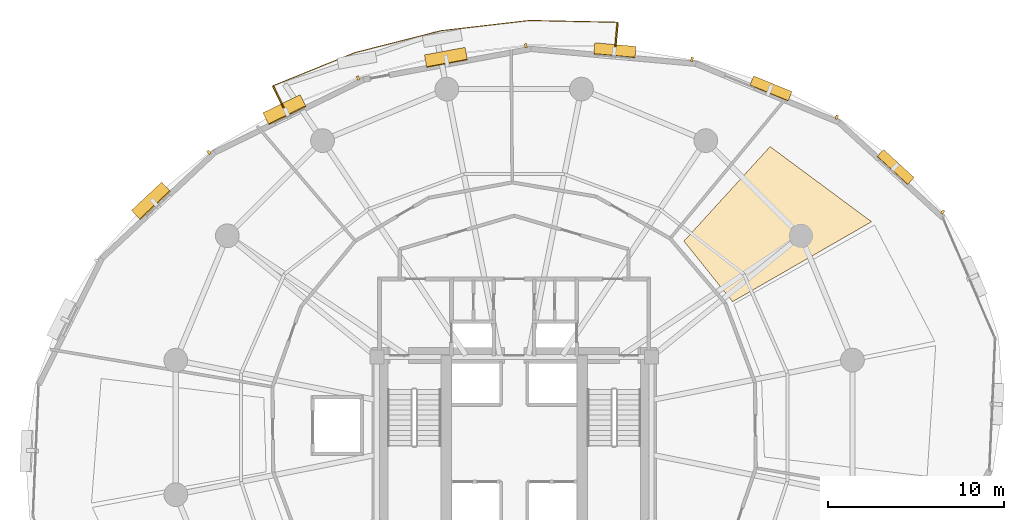
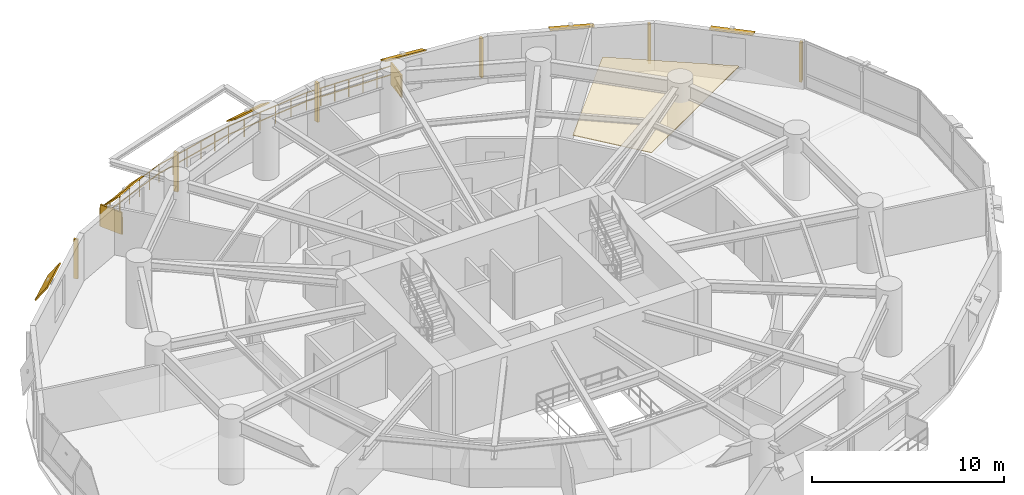
# One storey, part 17 of 17: 14 shading devices, 1 covering, 1 railing.
"""IFC4 building model written with IfcOpenShell, lengths in metres."""

from ifc_helpers import new_model, si_unit, direction, frame, origin, origin_2d, place, context, subcontext, project, spatial, polyline, rectangle, outline, extrude, material, layer, layer_set, type_object, element, save


model = new_model("IFC4")

# Units and contexts
model_context = context("Model", 3, precision=1e-05, world=origin(), true_north=direction((0.0, 1.0)))
body_context = subcontext(model_context, "Body", "Model", "MODEL_VIEW")
ifc_project = project(units=[si_unit("LENGTHUNIT", "METRE"), si_unit("AREAUNIT", "SQUARE_METRE"), si_unit("VOLUMEUNIT", "CUBIC_METRE"), si_unit("PLANEANGLEUNIT", "RADIAN"), si_unit("MASSUNIT", "GRAM", prefix="KILO"), si_unit("THERMODYNAMICTEMPERATUREUNIT", "KELVIN"), si_unit("POWERUNIT", "WATT")], contexts=[model_context])

# Site, building, storey
site_placement = place(None, origin())
site = spatial("IfcSite", under=ifc_project, at=site_placement, CompositionType="ELEMENT")
building_placement = place(site_placement, origin())
building = spatial("IfcBuilding", under=site, at=building_placement, Name="Ocrelia Relay Tower", CompositionType="ELEMENT")
storey_placement = place(building_placement, frame((0.0, 0.0, 76.199951171875)))
storey = spatial("IfcBuildingStorey", under=building, at=storey_placement, Name="L17", CompositionType="ELEMENT", Elevation=76.199951171875)

# Covering
ifc_material_1 = material(Name="Cleanroom metal-pan acoustic ceiling", Category="aluminium")
ifc_layer_1 = layer(ifc_material_1, 0.0400390625, Name="Cleanroom metal-pan acoustic ceiling")
ifc_layer_set_1 = layer_set([ifc_layer_1], Name="Cleanroom metal-pan acoustic ceiling")
covering_type = type_object("IfcCoveringType", Name="COV-CEIL-CLEAN", PredefinedType="CEILING", material=ifc_layer_set_1)
covering_placement = place(storey_placement, frame((0.0, 0.0, 2.920166015625)))
element("IfcCovering", 1, at=covering_placement, inside=storey, type_object=covering_type, Name="L17 Colocation Data Hall A Suspended Ceiling 3", PredefinedType="CEILING", context=body_context, shape_type="SweptSolid", body=[
    extrude(outline(polyline([(46.411865234375, 33.14208984375), (54.310546875, 37.68701171875), (48.544189453125, 41.955810546875), (43.646728515625, 36.5830078125), (46.411865234375, 33.14208984375)])), origin(), (0.0, 0.0, 1.0), 0.039794921875),
])

# Railing
ifc_material_2 = material(Name="Steel S355 balustrade", Category="steel")
railing_type = type_object("IfcRailingType", Name="RL-EXT-GUARD-1150", PredefinedType="GUARDRAIL", material=ifc_material_2)
railing_placement = place(storey_placement, frame((20.904541015625, 44.158203125, 0.0)))
element("IfcRailing", 2, at=railing_placement, inside=storey, type_object=railing_type, Name="L17 Loggia Balcony Guard Rail B1", PredefinedType="GUARDRAIL", context=body_context, shape_type="SweptSolid", body=[
    extrude(rectangle(XDim=0.048095703125, YDim=0.048095703125, at=origin_2d()), frame((0.0, 0.0, 1.1259765625), z_axis=(-0.440121208435, 0.8979383731, 0.0), x_axis=(-0.8979383731, -0.440121208435, 0.0)), (0.0, 0.0, 1.0), 1.3935546875),
    extrude(rectangle(XDim=0.048095703125, YDim=0.048095703125, at=origin_2d()), frame((0.0, 0.0, 0.574951171875), z_axis=(-0.440121208435, 0.8979383731, 0.0), x_axis=(-0.8979383731, -0.440121208435, 0.0)), (0.0, 0.0, 1.0), 1.3935546875),
    extrude(rectangle(XDim=0.048095703125, YDim=0.048095703125, at=origin_2d()), frame((-0.61328125, 1.251220703125, 1.1259765625), z_axis=(0.926657621374, 0.375906441485, 0.0), x_axis=(-0.375906441485, 0.926657621374, 0.0)), (0.0, 0.0, 1.0), 2.505126953125),
    extrude(rectangle(XDim=0.048095703125, YDim=0.048095703125, at=origin_2d()), frame((-0.61328125, 1.251220703125, 0.574951171875), z_axis=(0.926657621374, 0.375906441485, 0.0), x_axis=(-0.375906441485, 0.926657621374, 0.0)), (0.0, 0.0, 1.0), 2.505126953125),
    extrude(rectangle(XDim=0.048095703125, YDim=0.048095703125, at=origin_2d()), frame((1.7080078125, 2.19287109375, 1.1259765625), z_axis=(0.926691568011, 0.375822747818, 0.0), x_axis=(-0.375822747818, 0.926691568011, 0.0)), (0.0, 0.0, 1.0), 2.5048828125),
    extrude(rectangle(XDim=0.048095703125, YDim=0.048095703125, at=origin_2d()), frame((1.7080078125, 2.19287109375, 0.574951171875), z_axis=(0.926691568011, 0.375822747818, 0.0), x_axis=(-0.375822747818, 0.926691568011, 0.0)), (0.0, 0.0, 1.0), 2.5048828125),
    extrude(rectangle(XDim=0.048095703125, YDim=0.048095703125, at=origin_2d()), frame((4.029296875, 3.13427734375, 1.1259765625), z_axis=(0.969046874488, 0.246876801349, 0.0), x_axis=(-0.246876801349, 0.969046874488, 0.0)), (0.0, 0.0, 1.0), 5.065185546875),
    extrude(rectangle(XDim=0.048095703125, YDim=0.048095703125, at=origin_2d()), frame((4.029296875, 3.13427734375, 0.574951171875), z_axis=(0.969046874488, 0.246876801349, 0.0), x_axis=(-0.246876801349, 0.969046874488, 0.0)), (0.0, 0.0, 1.0), 5.065185546875),
    extrude(rectangle(XDim=0.048095703125, YDim=0.048095703125, at=origin_2d()), frame((8.937744140625, 4.384765625, 1.1259765625), z_axis=(0.993359235266, 0.11505402953, 0.0), x_axis=(-0.11505402953, 0.993359235266, 0.0)), (0.0, 0.0, 1.0), 5.065185546875),
    extrude(rectangle(XDim=0.048095703125, YDim=0.048095703125, at=origin_2d()), frame((8.937744140625, 4.384765625, 0.574951171875), z_axis=(0.993359235266, 0.11505402953, 0.0), x_axis=(-0.11505402953, 0.993359235266, 0.0)), (0.0, 0.0, 1.0), 5.065185546875),
    extrude(rectangle(XDim=0.048095703125, YDim=0.048095703125, at=origin_2d()), frame((13.96923828125, 4.967529296875, 1.1259765625), z_axis=(0.999788518812, -0.020564961734, 0.0), x_axis=(0.020564961734, 0.999788518812, 0.0)), (0.0, 0.0, 1.0), 2.5048828125),
    extrude(rectangle(XDim=0.048095703125, YDim=0.048095703125, at=origin_2d()), frame((13.96923828125, 4.967529296875, 0.574951171875), z_axis=(0.999788518812, -0.020564961734, 0.0), x_axis=(0.020564961734, 0.999788518812, 0.0)), (0.0, 0.0, 1.0), 2.5048828125),
    extrude(rectangle(XDim=0.048095703125, YDim=0.048095703125, at=origin_2d()), frame((16.4736328125, 4.916015625, 1.1259765625), z_axis=(0.999790558819, -0.020465544142, 0.0), x_axis=(0.020465544142, 0.999790558819, 0.0)), (0.0, 0.0, 1.0), 2.505126953125),
    extrude(rectangle(XDim=0.048095703125, YDim=0.048095703125, at=origin_2d()), frame((16.4736328125, 4.916015625, 0.574951171875), z_axis=(0.999790558819, -0.020465544142, 0.0), x_axis=(0.020465544142, 0.999790558819, 0.0)), (0.0, 0.0, 1.0), 2.505126953125),
    extrude(rectangle(XDim=0.048095703125, YDim=0.048095703125, at=origin_2d()), frame((18.978271484375, 4.86474609375, 1.1259765625), z_axis=(-0.090930665057, -0.995857225787, 0.0), x_axis=(0.995857225787, -0.090930665057, 0.0)), (0.0, 0.0, 1.0), 1.3935546875),
    extrude(rectangle(XDim=0.048095703125, YDim=0.048095703125, at=origin_2d()), frame((18.978271484375, 4.86474609375, 0.574951171875), z_axis=(-0.090930665057, -0.995857225787, 0.0), x_axis=(0.995857225787, -0.090930665057, 0.0)), (0.0, 0.0, 1.0), 1.3935546875),
    extrude(rectangle(XDim=0.0419921875, YDim=0.0419921875, at=origin_2d()), origin(), (0.0, 0.0, 1.0), 1.101806640625),
    extrude(rectangle(XDim=0.0419921875, YDim=0.0419921875, at=origin_2d()), frame((-0.306640625, 0.62548828125, 0.0)), (0.0, 0.0, 1.0), 1.101806640625),
    extrude(rectangle(XDim=0.0419921875, YDim=0.0419921875, at=origin_2d()), frame((-0.61328125, 1.251220703125, 0.0)), (0.0, 0.0, 1.0), 1.101806640625),
    extrude(rectangle(XDim=0.0419921875, YDim=0.0419921875, at=origin_2d()), frame((0.160400390625, 1.565185546875, 0.0)), (0.0, 0.0, 1.0), 1.101806640625),
    extrude(rectangle(XDim=0.0419921875, YDim=0.0419921875, at=origin_2d()), frame((0.934326171875, 1.87890625, 0.0)), (0.0, 0.0, 1.0), 1.101806640625),
    extrude(rectangle(XDim=0.0419921875, YDim=0.0419921875, at=origin_2d()), frame((1.7080078125, 2.19287109375, 0.0)), (0.0, 0.0, 1.0), 1.101806640625),
    extrude(rectangle(XDim=0.0419921875, YDim=0.0419921875, at=origin_2d()), frame((2.481689453125, 2.506591796875, 0.0)), (0.0, 0.0, 1.0), 1.101806640625),
    extrude(rectangle(XDim=0.0419921875, YDim=0.0419921875, at=origin_2d()), frame((3.255615234375, 2.820556640625, 0.0)), (0.0, 0.0, 1.0), 1.101806640625),
    extrude(rectangle(XDim=0.0419921875, YDim=0.0419921875, at=origin_2d()), frame((4.029296875, 3.13427734375, 0.0)), (0.0, 0.0, 1.0), 1.101806640625),
    extrude(rectangle(XDim=0.0419921875, YDim=0.0419921875, at=origin_2d()), frame((5.010986328125, 3.38427734375, 0.0)), (0.0, 0.0, 1.0), 1.101806640625),
    extrude(rectangle(XDim=0.0419921875, YDim=0.0419921875, at=origin_2d()), frame((5.99267578125, 3.634521484375, 0.0)), (0.0, 0.0, 1.0), 1.101806640625),
    extrude(rectangle(XDim=0.0419921875, YDim=0.0419921875, at=origin_2d()), frame((6.974365234375, 3.884521484375, 0.0)), (0.0, 0.0, 1.0), 1.101806640625),
    extrude(rectangle(XDim=0.0419921875, YDim=0.0419921875, at=origin_2d()), frame((7.9560546875, 4.134765625, 0.0)), (0.0, 0.0, 1.0), 1.101806640625),
    extrude(rectangle(XDim=0.0419921875, YDim=0.0419921875, at=origin_2d()), frame((8.937744140625, 4.384765625, 0.0)), (0.0, 0.0, 1.0), 1.101806640625),
    extrude(rectangle(XDim=0.0419921875, YDim=0.0419921875, at=origin_2d()), frame((9.944091796875, 4.501220703125, 0.0)), (0.0, 0.0, 1.0), 1.101806640625),
    extrude(rectangle(XDim=0.0419921875, YDim=0.0419921875, at=origin_2d()), frame((10.950439453125, 4.617919921875, 0.0)), (0.0, 0.0, 1.0), 1.101806640625),
    extrude(rectangle(XDim=0.0419921875, YDim=0.0419921875, at=origin_2d()), frame((11.95654296875, 4.734375, 0.0)), (0.0, 0.0, 1.0), 1.101806640625),
    extrude(rectangle(XDim=0.0419921875, YDim=0.0419921875, at=origin_2d()), frame((12.962890625, 4.85107421875, 0.0)), (0.0, 0.0, 1.0), 1.101806640625),
    extrude(rectangle(XDim=0.0419921875, YDim=0.0419921875, at=origin_2d()), frame((13.96923828125, 4.967529296875, 0.0)), (0.0, 0.0, 1.0), 1.101806640625),
    extrude(rectangle(XDim=0.0419921875, YDim=0.0419921875, at=origin_2d()), frame((14.803955078125, 4.950439453125, 0.0)), (0.0, 0.0, 1.0), 1.101806640625),
    extrude(rectangle(XDim=0.0419921875, YDim=0.0419921875, at=origin_2d()), frame((15.638916015625, 4.93310546875, 0.0)), (0.0, 0.0, 1.0), 1.101806640625),
    extrude(rectangle(XDim=0.0419921875, YDim=0.0419921875, at=origin_2d()), frame((16.4736328125, 4.916015625, 0.0)), (0.0, 0.0, 1.0), 1.101806640625),
    extrude(rectangle(XDim=0.0419921875, YDim=0.0419921875, at=origin_2d()), frame((17.30859375, 4.89892578125, 0.0)), (0.0, 0.0, 1.0), 1.101806640625),
    extrude(rectangle(XDim=0.0419921875, YDim=0.0419921875, at=origin_2d()), frame((18.143310546875, 4.8818359375, 0.0)), (0.0, 0.0, 1.0), 1.101806640625),
    extrude(rectangle(XDim=0.0419921875, YDim=0.0419921875, at=origin_2d()), frame((18.978271484375, 4.86474609375, 0.0)), (0.0, 0.0, 1.0), 1.101806640625),
    extrude(rectangle(XDim=0.0419921875, YDim=0.0419921875, at=origin_2d()), frame((18.9150390625, 4.1708984375, 0.0)), (0.0, 0.0, 1.0), 1.101806640625),
    extrude(rectangle(XDim=0.0419921875, YDim=0.0419921875, at=origin_2d()), frame((18.8515625, 3.47705078125, 0.0)), (0.0, 0.0, 1.0), 1.101806640625),
])

# Shading devices
ifc_material_3 = material(Name="Perforated oxide terracotta solar screen", Category="masonry")
ifc_layer_2 = layer(ifc_material_3, 0.090087890625, Name="Perforated oxide terracotta solar screen")
ifc_layer_set_2 = layer_set([ifc_layer_2], Name="Perforated oxide terracotta solar screen")
shading_device_type_1 = type_object("IfcShadingDeviceType", Name="SH-BALC-SCREEN", PredefinedType="USERDEFINED", material=ifc_layer_set_2)
for number, where, z_axis, x_axis, name in (
    (3, (39.8193359375, 48.3291015625, 0.0), (0.0, 0.0, 1.0), (0.090930464705, 0.995857244081, 0.0), "L17 Balcony Perforated Terracotta Screen B1-1"),
    (4, (20.597900390625, 44.783935546875, 0.0), (0.0, 0.0, 1.0), (-0.440195789928, 0.897901813413, 0.0), "L17 Balcony Perforated Terracotta Screen B1-2"),
):
    element("IfcShadingDevice", number, at=place(storey_placement, frame(where, z_axis=z_axis, x_axis=x_axis)), inside=storey, type_object=shading_device_type_1, Name=name, ObjectType="SCREEN", PredefinedType="USERDEFINED", context=body_context, shape_type="SweptSolid", body=[
        extrude(rectangle(XDim=1.340087890625, YDim=0.090087890625, at=origin_2d()), origin(), (0.0, 0.0, 1.0), 1.39990234375),
    ])
ifc_material_4 = material(Name="Extruded oxide terracotta vertical baguette", Category="masonry")
shading_device_type_2 = type_object("IfcShadingDeviceType", Name="SH-TERR-BAGUETTE", PredefinedType="USERDEFINED", material=ifc_material_4)
for number, where, z_axis, x_axis, name in (
    (5, (58.347412109375, 38.234130859375, 0.25), (0.0, 0.0, 1.0), (-0.736679433924, 0.676242125006, 0.0), "L17 Oxide Terracotta Vertical Baguette 02"),
    (6, (52.32470703125, 43.630615234375, 0.25), (0.0, 0.0, 1.0), (-0.925294932346, 0.379248319936, 0.0), "L17 Oxide Terracotta Vertical Baguette 03"),
    (7, (44.105224609375, 46.912109375, 0.25), (0.0, 0.0, 1.0), (-0.9959904418, 0.089459710722, 0.0), "L17 Oxide Terracotta Vertical Baguette 04"),
    (8, (34.6650390625, 47.686767578125, 0.25), (0.0, 0.0, 1.0), (-0.983413003985, -0.18138043884, 0.0), "L17 Oxide Terracotta Vertical Baguette 05"),
    (9, (25.13134765625, 45.854248046875, 0.25), (0.0, 0.0, 1.0), (-0.898546192642, -0.438878957901, 0.0), "L17 Oxide Terracotta Vertical Baguette 06"),
    (10, (16.65234375, 41.62255859375, 0.25), (0.0, 0.0, 1.0), (-0.729123876607, -0.68438174476, 0.0), "L17 Oxide Terracotta Vertical Baguette 07"),
):
    element("IfcShadingDevice", number, at=place(storey_placement, frame(where, z_axis=z_axis, x_axis=x_axis)), inside=storey, type_object=shading_device_type_2, Name=name, ObjectType="BAGUETTE", PredefinedType="USERDEFINED", context=body_context, shape_type="SweptSolid", body=[
        extrude(rectangle(XDim=0.139892578125, YDim=0.239990234375, at=origin_2d()), origin(), (0.0, 0.0, 1.0), 2.5),
    ])
ifc_material_5 = material(Name="Extruded oxide terracotta fin", Category="masonry")
ifc_layer_3 = layer(ifc_material_5, 0.080078125, Name="Extruded oxide terracotta fin")
ifc_layer_set_3 = layer_set([ifc_layer_3], Name="Extruded oxide terracotta fin")
shading_device_type_3 = type_object("IfcShadingDeviceType", Name="SH-VISOR-FIN-DEEP", PredefinedType="USERDEFINED", material=ifc_layer_set_3)
shading_device_1_placement = place(storey_placement, frame((13.388671875, 38.84423828125, 2.817138671875), z_axis=(-0.561228622038, 0.597919496971, 0.572289008237), x_axis=(-0.729123876607, -0.68438174476, 0.0)))
element("IfcShadingDevice", 11, at=shading_device_1_placement, inside=storey, type_object=shading_device_type_3, Name="L17 Canted Terracotta Sun-Visor Fin 07", ObjectType="FIN", PredefinedType="USERDEFINED", context=body_context, shape_type="SweptSolid", body=[
    extrude(rectangle(XDim=2.35009765625, YDim=1.16796875, at=origin_2d()), origin(), (0.0, 0.0, 1.0), 0.080078125),
])
ifc_layer_4 = layer(ifc_material_5, 0.080078125, Name="Extruded oxide terracotta fin")
ifc_layer_set_4 = layer_set([ifc_layer_4], Name="Extruded oxide terracotta fin")
shading_device_type_4 = type_object("IfcShadingDeviceType", Name="SH-VISOR-FIN-MED", PredefinedType="USERDEFINED", material=ifc_layer_set_4)
shading_device_2_placement = place(storey_placement, frame((30.12744140625, 46.996826171875, 2.8076171875), z_axis=(-0.106535899584, 0.577619007387, 0.809324647101), x_axis=(-0.983413003985, -0.18138043884, 0.0)))
element("IfcShadingDevice", 12, at=shading_device_2_placement, inside=storey, type_object=shading_device_type_4, Name="L17 Canted Terracotta Sun-Visor Fin 05", ObjectType="FIN", PredefinedType="USERDEFINED", context=body_context, shape_type="SweptSolid", body=[
    extrude(rectangle(XDim=2.35009765625, YDim=0.85009765625, at=origin_2d()), origin(), (0.0, 0.0, 1.0), 0.080078125),
])
shading_device_3_placement = place(storey_placement, frame((20.96728515625, 44.022216796875, 2.8125), z_axis=(-0.318456982949, 0.651998243245, 0.68810133034), x_axis=(-0.898546192642, -0.438878957901, 0.0)))
element("IfcShadingDevice", 13, at=shading_device_3_placement, inside=storey, type_object=shading_device_type_4, Name="L17 Canted Terracotta Sun-Visor Fin 06", ObjectType="FIN", PredefinedType="USERDEFINED", context=body_context, shape_type="SweptSolid", body=[
    extrude(rectangle(XDim=2.35009765625, YDim=1.02490234375, at=origin_2d()), origin(), (0.0, 0.0, 1.0), 0.080078125),
])
ifc_layer_5 = layer(ifc_material_5, 0.080078125, Name="Extruded oxide terracotta fin")
ifc_layer_set_5 = layer_set([ifc_layer_5], Name="Extruded oxide terracotta fin")
shading_device_type_5 = type_object("IfcShadingDeviceType", Name="SH-VISOR-FIN-SHAL", PredefinedType="USERDEFINED", material=ifc_layer_set_5)
shading_device_4_placement = place(storey_placement, frame((55.666259765625, 40.783203125, 2.802001953125), z_axis=(0.212559027482, 0.231555915035, 0.949315815758), x_axis=(-0.736679433924, 0.676242125006, 0.0)))
element("IfcShadingDevice", 14, at=shading_device_4_placement, inside=storey, type_object=shading_device_type_5, Name="L17 Canted Terracotta Sun-Visor Fin 02", ObjectType="FIN", PredefinedType="USERDEFINED", context=body_context, shape_type="SweptSolid", body=[
    extrude(rectangle(XDim=2.35009765625, YDim=0.554931640625, at=origin_2d()), origin(), (0.0, 0.0, 1.0), 0.080078125),
])
shading_device_5_placement = place(storey_placement, frame((48.583740234375, 45.241455078125, 2.802734375), z_axis=(0.134549956, 0.328276714463, 0.934949575154), x_axis=(-0.925294932346, 0.379248319936, 0.0)))
element("IfcShadingDevice", 15, at=shading_device_5_placement, inside=storey, type_object=shading_device_type_5, Name="L17 Canted Terracotta Sun-Visor Fin 03", ObjectType="FIN", PredefinedType="USERDEFINED", context=body_context, shape_type="SweptSolid", body=[
    extrude(rectangle(XDim=2.35009765625, YDim=0.595947265625, at=origin_2d()), origin(), (0.0, 0.0, 1.0), 0.080078125),
])
shading_device_6_placement = place(storey_placement, frame((39.722900390625, 47.406982421875, 2.80419921875), z_axis=(0.040042436836, 0.4458083313, 0.894232371924), x_axis=(-0.9959904418, 0.089459710722, 0.0)))
element("IfcShadingDevice", 16, at=shading_device_6_placement, inside=storey, type_object=shading_device_type_5, Name="L17 Canted Terracotta Sun-Visor Fin 04", ObjectType="FIN", PredefinedType="USERDEFINED", context=body_context, shape_type="SweptSolid", body=[
    extrude(rectangle(XDim=2.35009765625, YDim=0.693115234375, at=origin_2d()), origin(), (0.0, 0.0, 1.0), 0.080078125),
])

save(model, "model.ifc")
